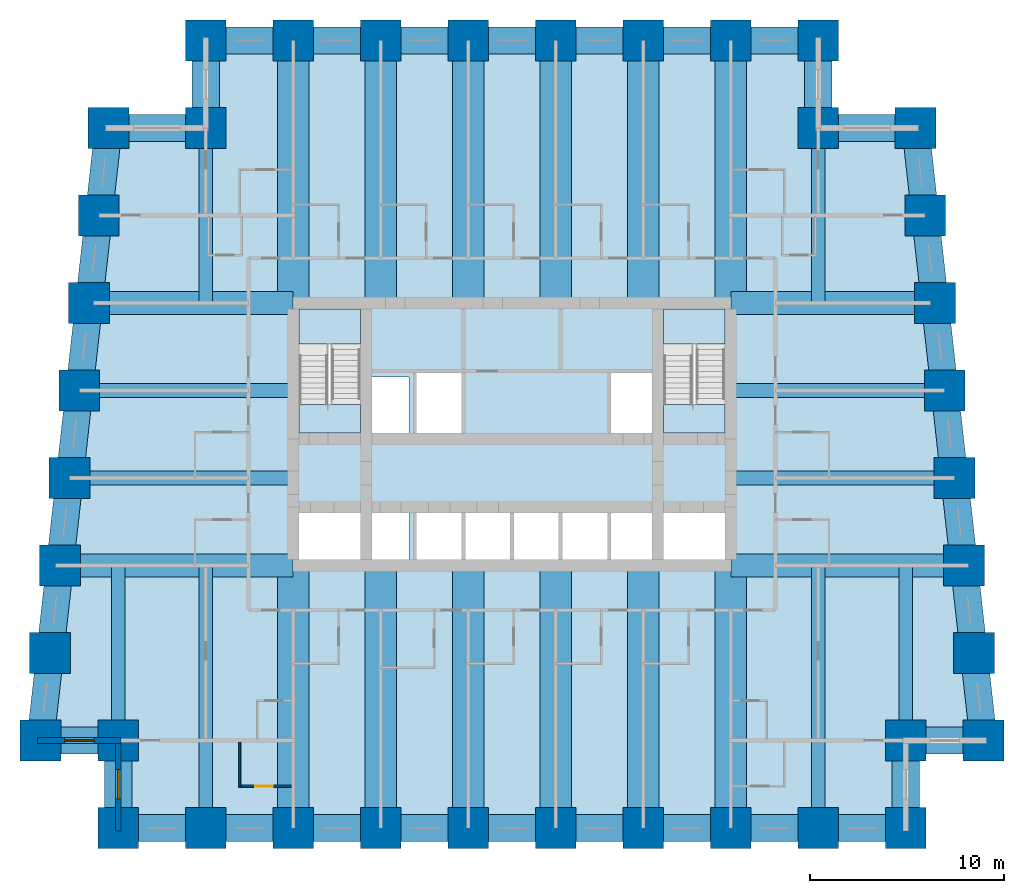
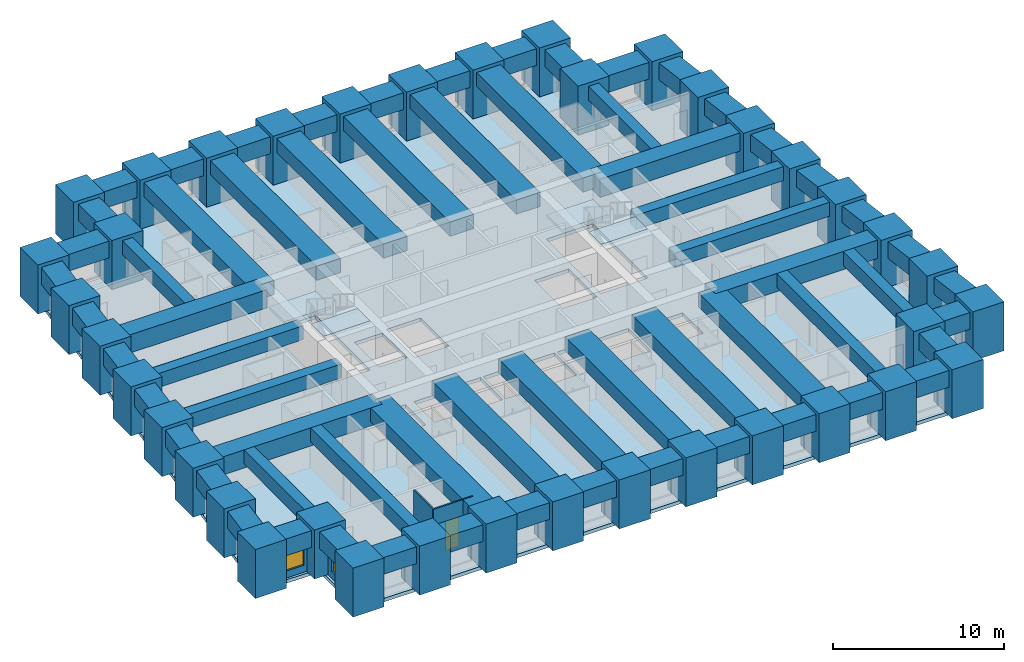
# One storey, part 1 of 8: 64 beams, 38 columns, 5 slabs, 4 walls, 2 windows, 1 door, 3 openings, 2 elements without a shape of their own.
"""IFC4 building model written with IfcOpenShell, lengths in metres."""

import ifcopenshell
import ifcopenshell.guid

model = None  # the IFC model being written
_history = None  # IfcOwnerHistory: only IFC2X3 demands one
_inside = {}  # id of a spatial element -> (the spatial element, [elements in it])
_under = {}  # id of a project, library or spatial element -> (it, [spatial elements below it])
_declared = {}  # id of a project -> (the project, [libraries it declares])
_typed = {}  # id of a type object -> (the type object, [elements of that type])
_made_of = {}  # id of a material, layer set ... -> (it, [elements and type objects made of it])


def new_model(schema):
    """Start an empty IFC model of exactly this schema.

    Asked for "IFC4X3", IfcOpenShell would pick the latest addendum, in which some entities
    have other attributes; the version numbers below select the first issue.
    IFC2X3 requires an IfcOwnerHistory on every rooted entity: one is made here for all.
    """
    global model, _history
    if schema == "IFC4X3":
        model = ifcopenshell.file(schema_version=(4, 3, 0, 0))
    else:
        model = ifcopenshell.file(schema=schema)
    _inside.clear()
    _under.clear()
    _declared.clear()
    _typed.clear()
    _made_of.clear()
    _history = None
    if model.schema == "IFC2X3":
        org = make("IfcOrganization", Name="unknown")
        user = make(
            "IfcPersonAndOrganization",
            ThePerson=make("IfcPerson", FamilyName="unknown"),
            TheOrganization=org,
        )
        app = make(
            "IfcApplication",
            ApplicationDeveloper=org,
            Version="unknown",
            ApplicationFullName="unknown",
            ApplicationIdentifier="unknown",
        )
        _history = make(
            "IfcOwnerHistory",
            OwningUser=user,
            OwningApplication=app,
            ChangeAction="ADDED",
            CreationDate=0,
        )
    return model


def make(cls, **values):
    """One entity of the class cls with the attributes given. An attribute that is None is left unset."""
    return model.create_entity(
        cls, **{name: value for name, value in values.items() if value is not None}
    )


def rooted(cls, **values):
    """An entity with a GlobalId (a new one), such as an element, a storey or a relation."""
    return make(cls, GlobalId=ifcopenshell.guid.new(), OwnerHistory=_history, **values)


def si_unit(unit_type, name, prefix=None):
    """IfcSIUnit, for example si_unit("LENGTHUNIT", "METRE", prefix="MILLI")."""
    return make("IfcSIUnit", UnitType=unit_type, Prefix=prefix, Name=name)


def assignment(units):
    """IfcUnitAssignment: the units of a project."""
    return None if units is None else make("IfcUnitAssignment", Units=units)


def point(xyz):
    """IfcCartesianPoint."""
    return None if xyz is None else make("IfcCartesianPoint", Coordinates=xyz)


def direction(xyz):
    """IfcDirection."""
    return None if xyz is None else make("IfcDirection", DirectionRatios=xyz)


def frame(location, z_axis=None, x_axis=None):
    """IfcAxis2Placement3D, a coordinate frame: its origin and axes. An axis left out is left unset."""
    return make(
        "IfcAxis2Placement3D",
        Location=point(location),
        Axis=direction(z_axis),
        RefDirection=direction(x_axis),
    )


def frame_2d(location, x_axis=None):
    """IfcAxis2Placement2D, a coordinate frame in the plane: its origin and x axis."""
    return make(
        "IfcAxis2Placement2D", Location=point(location), RefDirection=direction(x_axis)
    )


def origin():
    """The frame at (0, 0, 0) with its axes left unset."""
    return frame((0.0, 0.0, 0.0))


def origin_2d():
    """The frame at (0, 0) in the plane with its x axis left unset."""
    return frame_2d((0.0, 0.0))


def place(relative_to, where):
    """IfcLocalPlacement: puts the frame where relative to a parent placement (None: the world)."""
    return make(
        "IfcLocalPlacement", PlacementRelTo=relative_to, RelativePlacement=where
    )


def context(
    kind, dimensions, precision=None, world=None, true_north=None, identifier=None
):
    """IfcGeometricRepresentationContext, for example the 3D "Model" context."""
    return make(
        "IfcGeometricRepresentationContext",
        ContextIdentifier=identifier,
        ContextType=kind,
        CoordinateSpaceDimension=dimensions,
        Precision=precision,
        WorldCoordinateSystem=world,
        TrueNorth=true_north,
    )


def subcontext(parent, identifier, kind, view, scale=None):
    """IfcGeometricRepresentationSubContext, for example "Body" below "Model"."""
    return make(
        "IfcGeometricRepresentationSubContext",
        ContextIdentifier=identifier,
        ContextType=kind,
        ParentContext=parent,
        TargetScale=scale,
        TargetView=view,
    )


def project(units=None, contexts=None):
    """IfcProject with its units and contexts."""
    return rooted(
        "IfcProject",
        Name="project",
        RepresentationContexts=contexts,
        UnitsInContext=assignment(units),
    )


def spatial(cls, under=None, at=None, **own):
    """A site, building, storey or space (cls), placed at a placement, below another one or the project."""
    s = rooted(cls, ObjectPlacement=at, **own)
    if under is not None:
        _under.setdefault(under.id(), (under, []))[1].append(s)
    return s


def polyline(points):
    """IfcPolyline through the points."""
    return make("IfcPolyline", Points=[point(p) for p in points])


def profile(cls, at=None, kind="AREA", **sizes):
    """A parametric profile (cls). Its sizes go by their IFC names, for example OverallWidth=200.0."""
    return make(cls, ProfileType=kind, Position=at, **sizes)


def rectangle(**sizes):
    """IfcRectangleProfileDef."""
    return profile("IfcRectangleProfileDef", **sizes)


def outline(outer, holes=None, kind="AREA"):
    """IfcArbitraryClosedProfileDef: a profile drawn as a closed curve; with holes, ...WithVoids."""
    if holes is None:
        return make("IfcArbitraryClosedProfileDef", ProfileType=kind, OuterCurve=outer)
    return make(
        "IfcArbitraryProfileDefWithVoids",
        ProfileType=kind,
        OuterCurve=outer,
        InnerCurves=holes,
    )


def extrude(swept, where, along, depth):
    """IfcExtrudedAreaSolid: the profile swept, set in the frame where, extruded along a direction by depth."""
    return make(
        "IfcExtrudedAreaSolid",
        SweptArea=swept,
        Position=where,
        ExtrudedDirection=direction(along),
        Depth=depth,
    )


def shape(context_of_items, identifier, shape_type, items):
    """IfcShapeRepresentation: the items that make up one representation, for example the "Body"."""
    return make(
        "IfcShapeRepresentation",
        ContextOfItems=context_of_items,
        RepresentationIdentifier=identifier,
        RepresentationType=shape_type,
        Items=items,
    )


def material(Name=None, Category=None):
    """IfcMaterial."""
    return make("IfcMaterial", Name=Name, Category=Category)


def layer(
    of_material, thickness, ventilated=None, Name=None, Category=None, Priority=None
):
    """IfcMaterialLayer: one layer of a wall or slab, of a material (None: an air gap)."""
    return make(
        "IfcMaterialLayer",
        Material=of_material,
        LayerThickness=thickness,
        IsVentilated=ventilated,
        Name=Name,
        Category=Category,
        Priority=Priority,
    )


def layer_set(layers, Name=None):
    """IfcMaterialLayerSet."""
    return make("IfcMaterialLayerSet", MaterialLayers=layers, LayerSetName=Name)


def material_profile(
    of_material, cross_section, Name=None, Category=None, Priority=None
):
    """IfcMaterialProfile: a cross section and its material."""
    return make(
        "IfcMaterialProfile",
        Name=Name,
        Material=of_material,
        Profile=cross_section,
        Priority=Priority,
        Category=Category,
    )


def profile_set(profiles, Name=None, composite=None):
    """IfcMaterialProfileSet."""
    return make(
        "IfcMaterialProfileSet",
        Name=Name,
        MaterialProfiles=profiles,
        CompositeProfile=composite,
    )


def made_of(thing, what):
    """Note that an element or type object is made of a material, layer set ...; save() writes the relation."""
    if what is not None:
        _made_of.setdefault(what.id(), (what, []))[1].append(thing)
    return thing


def type_object(cls, material=None, **own):
    """A type object (cls), such as IfcWallType, which elements share."""
    return made_of(rooted(cls, **own), material)


def element(
    cls,
    number,
    at=None,
    inside=None,
    cuts=None,
    type_object=None,
    material=None,
    context=None,
    identifier="Body",
    shape_type=None,
    held_by="IfcProductDefinitionShape",
    body=None,
    shapes=None,
    **own,
):
    """One element of the class cls, such as IfcWall. Its Tag is "e" and its number.

    at: its placement. inside: the storey or other place that contains it. cuts: it is an
    opening in that element (IfcRelVoidsElement). A single representation is given by context,
    identifier, shape_type and body (its items); several are given by shapes. held_by: the class
    of the entity that holds the representations. save() writes the other relations.
    """
    e = rooted(cls, Tag="e%d" % number, ObjectPlacement=at, **own)
    if body is not None:
        shapes = [shape(context, identifier, shape_type, body)]
    if shapes is not None:
        e.Representation = make(held_by, Representations=shapes)
    if inside is not None:
        _inside.setdefault(inside.id(), (inside, []))[1].append(e)
    if cuts is not None:
        rooted(
            "IfcRelVoidsElement", RelatingBuildingElement=cuts, RelatedOpeningElement=e
        )
    if type_object is not None:
        _typed.setdefault(type_object.id(), (type_object, []))[1].append(e)
    return made_of(e, material)


def fill(opening, filler):
    """IfcRelFillsElement: the door or window that sits in an opening."""
    return rooted(
        "IfcRelFillsElement",
        RelatingOpeningElement=opening,
        RelatedBuildingElement=filler,
    )


def aggregate(whole, parts):
    """IfcRelAggregates: a whole, such as a stair, and the parts it consists of."""
    return rooted("IfcRelAggregates", RelatingObject=whole, RelatedObjects=parts)


def save(model, path):
    """Write the relations noted so far, then the file.

    IfcRelAggregates (storeys below a building ...), IfcRelContainedInSpatialStructure (elements
    in a storey), IfcRelDefinesByType, IfcRelAssociatesMaterial and IfcRelDeclares: one each for
    every whole, place, type object, material and project.
    """
    for whole, parts in _under.values():
        aggregate(whole, parts)
    for where, things in _inside.values():
        rooted(
            "IfcRelContainedInSpatialStructure",
            RelatedElements=things,
            RelatingStructure=where,
        )
    for kind, things in _typed.values():
        rooted("IfcRelDefinesByType", RelatedObjects=things, RelatingType=kind)
    for what, things in _made_of.values():
        rooted("IfcRelAssociatesMaterial", RelatedObjects=things, RelatingMaterial=what)
    for by, libraries in _declared.values():
        rooted("IfcRelDeclares", RelatingContext=by, RelatedDefinitions=libraries)
    model.write(path)


model = new_model("IFC4")

# Units and contexts
model_context = context("Model", 3, precision=1e-05, world=origin(), true_north=direction((0.0, 1.0)))
body_context = subcontext(model_context, "Body", "Model", "MODEL_VIEW")
ifc_project = project(units=[si_unit("LENGTHUNIT", "METRE"), si_unit("AREAUNIT", "SQUARE_METRE"), si_unit("VOLUMEUNIT", "CUBIC_METRE"), si_unit("PLANEANGLEUNIT", "RADIAN"), si_unit("MASSUNIT", "GRAM", prefix="KILO")], contexts=[model_context])

# Site, building, storey
site_placement = place(None, origin())
site = spatial("IfcSite", under=ifc_project, at=site_placement, CompositionType="ELEMENT")
building_placement = place(site_placement, origin())
building = spatial("IfcBuilding", under=site, at=building_placement, Name="Kilele Tower Hotel", CompositionType="ELEMENT")
storey_placement = place(building_placement, frame((0.0, 0.0, 36.699951171875)))
storey = spatial("IfcBuildingStorey", under=building, at=storey_placement, Name="L07", CompositionType="ELEMENT", Elevation=36.699951171875)

# Columns
ifc_material_1 = material(Name="Concrete C80/95", Category="concrete")
ifc_material_profile_1 = material_profile(ifc_material_1, rectangle(XDim=2.10009765625, YDim=2.10009765625, at=origin_2d()))
ifc_profile_set_1 = profile_set([ifc_material_profile_1], Name="Concrete C80/95")
column_type = type_object("IfcColumnType", Name="Tube column RC 2100x2100 C80/95", PredefinedType="COLUMN", material=ifc_profile_set_1)
for number, where, z_axis, x_axis, name in (
    (1, (0.5, 4.5, 0.0), (0.0, 0.0, 1.0), (1.0, 0.0, 0.0), "Column TC9 L07"),
    (2, (4.5, 4.5, 0.0), (0.0, 0.0, 1.0), (1.0, 0.0, 0.0), "Column TC9 L07"),
    (3, (4.5, 0.0, 0.0), (0.0, 0.0, 1.0), (1.0, 0.0, 0.0), "Column TC9 L07"),
    (4, (9.0, 0.0, 0.0), (0.0, 0.0, 1.0), (1.0, 0.0, 0.0), "Column TC9 L07"),
    (5, (13.5, 0.0, 0.0), (0.0, 0.0, 1.0), (1.0, 0.0, 0.0), "Column TC9 L07"),
    (6, (18.0, 0.0, 0.0), (0.0, 0.0, 1.0), (1.0, 0.0, 0.0), "Column TC9 L07"),
    (7, (22.5, 0.0, 0.0), (0.0, 0.0, 1.0), (1.0, 0.0, 0.0), "Column TC9 L07"),
    (8, (27.0, 0.0, 0.0), (0.0, 0.0, 1.0), (1.0, 0.0, 0.0), "Column TC9 L07"),
    (9, (31.5, 0.0, 0.0), (0.0, 0.0, 1.0), (1.0, 0.0, 0.0), "Column TC9 L07"),
    (10, (36.0, 0.0, 0.0), (0.0, 0.0, 1.0), (1.0, 0.0, 0.0), "Column TC9 L07"),
    (11, (40.5, 0.0, 0.0), (0.0, 0.0, 1.0), (1.0, 0.0, 0.0), "Column TC9 L07"),
    (12, (45.0, 0.0, 0.0), (0.0, 0.0, 1.0), (1.0, 0.0, 0.0), "Column TC9 L07"),
    (13, (45.0, 4.5, 0.0), (0.0, 0.0, 1.0), (1.0, 0.0, 0.0), "Column TC9 L07"),
    (14, (49.0, 4.5, 0.0), (0.0, 0.0, 1.0), (1.0, 0.0, 0.0), "Column TC9 L07"),
    (15, (48.5, 9.0, 0.0), (0.0, 0.0, 1.0), (1.0, 0.0, 0.0), "Column TC9 L07"),
    (16, (48.0, 13.5, 0.0), (0.0, 0.0, 1.0), (1.0, 0.0, 0.0), "Column TC9 L07"),
    (17, (47.5, 18.0, 0.0), (0.0, 0.0, 1.0), (1.0, 0.0, 0.0), "Column TC9 L07"),
    (18, (47.0, 22.5, 0.0), (0.0, 0.0, 1.0), (1.0, 0.0, 0.0), "Column TC9 L07"),
    (19, (46.5, 27.0, 0.0), (0.0, 0.0, 1.0), (1.0, 0.0, 0.0), "Column TC9 L07"),
    (20, (46.0, 31.5, 0.0), (0.0, 0.0, 1.0), (1.0, 0.0, 0.0), "Column TC9 L07"),
    (21, (45.5, 36.0, 0.0), (0.0, 0.0, 1.0), (1.0, 0.0, 0.0), "Column TC9 L07"),
    (22, (40.5, 36.0, 0.0), (0.0, 0.0, 1.0), (1.0, 0.0, 0.0), "Column TC9 L07"),
    (23, (40.5, 40.5, 0.0), (0.0, 0.0, 1.0), (1.0, 0.0, 0.0), "Column TC9 L07"),
    (24, (36.0, 40.5, 0.0), (0.0, 0.0, 1.0), (1.0, 0.0, 0.0), "Column TC9 L07"),
    (25, (31.5, 40.5, 0.0), (0.0, 0.0, 1.0), (1.0, 0.0, 0.0), "Column TC9 L07"),
    (26, (27.0, 40.5, 0.0), (0.0, 0.0, 1.0), (1.0, 0.0, 0.0), "Column TC9 L07"),
    (27, (22.5, 40.5, 0.0), (0.0, 0.0, 1.0), (1.0, 0.0, 0.0), "Column TC9 L07"),
    (28, (18.0, 40.5, 0.0), (0.0, 0.0, 1.0), (1.0, 0.0, 0.0), "Column TC9 L07"),
    (29, (13.5, 40.5, 0.0), (0.0, 0.0, 1.0), (1.0, 0.0, 0.0), "Column TC9 L07"),
    (30, (9.0, 40.5, 0.0), (0.0, 0.0, 1.0), (1.0, 0.0, 0.0), "Column TC9 L07"),
    (31, (9.0, 36.0, 0.0), (0.0, 0.0, 1.0), (1.0, 0.0, 0.0), "Column TC9 L07"),
    (32, (4.0, 36.0, 0.0), (0.0, 0.0, 1.0), (1.0, 0.0, 0.0), "Column TC9 L07"),
    (33, (3.5, 31.5, 0.0), (0.0, 0.0, 1.0), (1.0, 0.0, 0.0), "Column TC9 L07"),
    (34, (3.0, 27.0, 0.0), (0.0, 0.0, 1.0), (1.0, 0.0, 0.0), "Column TC9 L07"),
    (35, (2.5, 22.5, 0.0), (0.0, 0.0, 1.0), (1.0, 0.0, 0.0), "Column TC9 L07"),
    (36, (2.0, 18.0, 0.0), (0.0, 0.0, 1.0), (1.0, 0.0, 0.0), "Column TC9 L07"),
    (37, (1.5, 13.5, 0.0), (0.0, 0.0, 1.0), (1.0, 0.0, 0.0), "Column TC9 L07"),
    (38, (1.0, 9.0, 0.0), (0.0, 0.0, 1.0), (1.0, 0.0, 0.0), "Column TC9 L07"),
):
    element("IfcColumn", number, at=place(storey_placement, frame(where, z_axis=z_axis, x_axis=x_axis)), inside=storey, type_object=column_type, Name=name, PredefinedType="COLUMN", context=body_context, shape_type="SweptSolid", body=[
        extrude(rectangle(XDim=2.10009765625, YDim=2.10009765625, at=origin_2d()), origin(), (0.0, 0.0, 1.0), 3.5),
    ])

# Beams
ifc_material_2 = material(Name="Concrete C60/75", Category="concrete")
ifc_material_profile_2 = material_profile(ifc_material_2, rectangle(XDim=1.60009765625, YDim=1.0, at=origin_2d()))
ifc_profile_set_2 = profile_set([ifc_material_profile_2], Name="Concrete C60/75")
beam_type_1 = type_object("IfcBeamType", Name="Beam RC 1600x1000 C60/75", PredefinedType="BEAM", material=ifc_profile_set_2)
for number, where, z_axis, x_axis, name in (
    (39, (13.5, 0.0, 2.75), (0.0, 1.0, 0.0), (-1.0, 0.0, 0.0), "Beam BC1 level L08"),
    (40, (18.0, 0.0, 2.75), (0.0, 1.0, 0.0), (-1.0, 0.0, 0.0), "Beam BC1 level L08"),
    (41, (22.5, 0.0, 2.75), (0.0, 1.0, 0.0), (-1.0, 0.0, 0.0), "Beam BC1 level L08"),
    (42, (27.0, 0.0, 2.75), (0.0, 1.0, 0.0), (-1.0, 0.0, 0.0), "Beam BC1 level L08"),
    (43, (31.5, 0.0, 2.75), (0.0, 1.0, 0.0), (-1.0, 0.0, 0.0), "Beam BC1 level L08"),
    (44, (36.0, 0.0, 2.75), (0.0, 1.0, 0.0), (-1.0, 0.0, 0.0), "Beam BC1 level L08"),
    (45, (36.0, 40.5, 2.75), (0.0, -1.0, 0.0), (1.0, 0.0, 0.0), "Beam BC1 level L08"),
    (46, (31.5, 40.5, 2.75), (0.0, -1.0, 0.0), (1.0, 0.0, 0.0), "Beam BC1 level L08"),
    (47, (27.0, 40.5, 2.75), (0.0, -1.0, 0.0), (1.0, 0.0, 0.0), "Beam BC1 level L08"),
    (48, (22.5, 40.5, 2.75), (0.0, -1.0, 0.0), (1.0, 0.0, 0.0), "Beam BC1 level L08"),
    (49, (18.0, 40.5, 2.75), (0.0, -1.0, 0.0), (1.0, 0.0, 0.0), "Beam BC1 level L08"),
    (50, (13.5, 40.5, 2.75), (0.0, -1.0, 0.0), (1.0, 0.0, 0.0), "Beam BC1 level L08"),
):
    element("IfcBeam", number, at=place(storey_placement, frame(where, z_axis=z_axis, x_axis=x_axis)), inside=storey, type_object=beam_type_1, Name=name, PredefinedType="BEAM", context=body_context, shape_type="SweptSolid", body=[
        extrude(rectangle(XDim=1.60009765625, YDim=1.0, at=origin_2d()), origin(), (0.0, 0.0, 1.0), 13.5),
    ])
ifc_material_3 = material(Name="Concrete C60/75", Category="concrete")
ifc_material_profile_3 = material_profile(ifc_material_3, rectangle(XDim=0.699951171875, YDim=1.0, at=origin_2d()))
ifc_profile_set_3 = profile_set([ifc_material_profile_3], Name="Concrete C60/75")
beam_type_2 = type_object("IfcBeamType", Name="Beam RC 700x1000 C60/75", PredefinedType="BEAM", material=ifc_profile_set_3)
for number, where, z_axis, x_axis, name in (
    (51, (9.0, 0.0, 2.75), (0.0, 1.0, 0.0), (-1.0, 0.0, 0.0), "Beam B4 level L08"),
    (52, (40.5, 0.0, 2.75), (0.0, 1.0, 0.0), (-1.0, 0.0, 0.0), "Beam B4 level L08"),
):
    element("IfcBeam", number, at=place(storey_placement, frame(where, z_axis=z_axis, x_axis=x_axis)), inside=storey, type_object=beam_type_2, Name=name, PredefinedType="BEAM", context=body_context, shape_type="SweptSolid", body=[
        extrude(rectangle(XDim=0.699951171875, YDim=1.0, at=origin_2d()), origin(), (0.0, 0.0, 1.0), 13.5),
    ])
ifc_material_4 = material(Name="Concrete C60/75", Category="concrete")
ifc_material_profile_4 = material_profile(ifc_material_4, rectangle(XDim=0.699951171875, YDim=1.0, at=origin_2d()))
ifc_profile_set_4 = profile_set([ifc_material_profile_4], Name="Concrete C60/75")
beam_type_3 = type_object("IfcBeamType", Name="Beam RC 700x1000 C60/75 mid span", PredefinedType="BEAM", material=ifc_profile_set_4)
for number, where, z_axis, x_axis, name in (
    (53, (4.5, 4.5, 2.75), (0.0, 1.0, 0.0), (-1.0, 0.0, 0.0), "Beam B5 level L08"),
    (54, (45.0, 4.5, 2.75), (0.0, 1.0, 0.0), (-1.0, 0.0, 0.0), "Beam B5 level L08"),
):
    element("IfcBeam", number, at=place(storey_placement, frame(where, z_axis=z_axis, x_axis=x_axis)), inside=storey, type_object=beam_type_3, Name=name, PredefinedType="BEAM", context=body_context, shape_type="SweptSolid", body=[
        extrude(rectangle(XDim=0.699951171875, YDim=1.0, at=origin_2d()), origin(), (0.0, 0.0, 1.0), 9.0),
    ])
beam_1_placement = place(storey_placement, frame((47.5, 18.0, 2.75), z_axis=(-1.0, 0.0, 0.0), x_axis=(0.0, -1.0, 0.0)))
element("IfcBeam", 55, at=beam_1_placement, inside=storey, type_object=beam_type_3, Name="Beam B5 level L08", PredefinedType="BEAM", context=body_context, shape_type="SweptSolid", body=[
    extrude(rectangle(XDim=0.699951171875, YDim=1.0, at=origin_2d()), origin(), (0.0, 0.0, 1.0), 11.5),
])
beam_2_placement = place(storey_placement, frame((47.0, 22.5, 2.75), z_axis=(-1.0, 0.0, 0.0), x_axis=(0.0, -1.0, 0.0)))
element("IfcBeam", 56, at=beam_2_placement, inside=storey, type_object=beam_type_3, Name="Beam B5 level L08", PredefinedType="BEAM", context=body_context, shape_type="SweptSolid", body=[
    extrude(rectangle(XDim=0.699951171875, YDim=1.0, at=origin_2d()), origin(), (0.0, 0.0, 1.0), 11.0),
])
for number, where, z_axis, x_axis, name in (
    (57, (40.5, 36.0, 2.75), (0.0, -1.0, 0.0), (1.0, 0.0, 0.0), "Beam B5 level L08"),
    (58, (9.0, 36.0, 2.75), (0.0, -1.0, 0.0), (1.0, 0.0, 0.0), "Beam B5 level L08"),
):
    element("IfcBeam", number, at=place(storey_placement, frame(where, z_axis=z_axis, x_axis=x_axis)), inside=storey, type_object=beam_type_3, Name=name, PredefinedType="BEAM", context=body_context, shape_type="SweptSolid", body=[
        extrude(rectangle(XDim=0.699951171875, YDim=1.0, at=origin_2d()), origin(), (0.0, 0.0, 1.0), 9.0),
    ])
beam_3_placement = place(storey_placement, frame((2.5, 22.5, 2.75), z_axis=(1.0, 0.0, 0.0), x_axis=(0.0, 1.0, 0.0)))
element("IfcBeam", 59, at=beam_3_placement, inside=storey, type_object=beam_type_3, Name="Beam B5 level L08", PredefinedType="BEAM", context=body_context, shape_type="SweptSolid", body=[
    extrude(rectangle(XDim=0.699951171875, YDim=1.0, at=origin_2d()), origin(), (0.0, 0.0, 1.0), 11.0),
])
beam_4_placement = place(storey_placement, frame((2.0, 18.0, 2.75), z_axis=(1.0, 0.0, 0.0), x_axis=(0.0, 1.0, 0.0)))
element("IfcBeam", 60, at=beam_4_placement, inside=storey, type_object=beam_type_3, Name="Beam B5 level L08", PredefinedType="BEAM", context=body_context, shape_type="SweptSolid", body=[
    extrude(rectangle(XDim=0.699951171875, YDim=1.0, at=origin_2d()), origin(), (0.0, 0.0, 1.0), 11.5),
])
ifc_material_5 = material(Name="Concrete C60/75", Category="concrete")
ifc_material_profile_5 = material_profile(ifc_material_5, rectangle(XDim=1.199951171875, YDim=1.300048828125, at=origin_2d()))
ifc_profile_set_5 = profile_set([ifc_material_profile_5], Name="Concrete C60/75")
beam_type_4 = type_object("IfcBeamType", Name="Girder RC 1200x1300 C60/75", PredefinedType="BEAM", material=ifc_profile_set_5)
for number, where, z_axis, x_axis, name in (
    (61, (48.0, 13.5, 2.60009765625), (-1.0, 0.0, 0.0), (0.0, -1.0, 0.0), "Girder G1 level L08"),
    (62, (1.5, 13.5, 2.60009765625), (1.0, 0.0, 0.0), (0.0, 1.0, 0.0), "Girder G1 level L08"),
):
    element("IfcBeam", number, at=place(storey_placement, frame(where, z_axis=z_axis, x_axis=x_axis)), inside=storey, type_object=beam_type_4, Name=name, PredefinedType="BEAM", context=body_context, shape_type="SweptSolid", body=[
        extrude(rectangle(XDim=1.199951171875, YDim=1.300048828125, at=origin_2d()), origin(), (0.0, 0.0, 1.0), 12.0),
    ])
ifc_material_6 = material(Name="Concrete C60/75", Category="concrete")
ifc_material_profile_6 = material_profile(ifc_material_6, rectangle(XDim=1.199951171875, YDim=1.300048828125, at=origin_2d()))
ifc_profile_set_6 = profile_set([ifc_material_profile_6], Name="Concrete C60/75")
beam_type_5 = type_object("IfcBeamType", Name="Girder RC 1200x1300 C60/75 mid span", PredefinedType="BEAM", material=ifc_profile_set_6)
for number, where, z_axis, x_axis, name in (
    (63, (46.5, 27.0, 2.60009765625), (-1.0, 0.0, 0.0), (0.0, -1.0, 0.0), "Girder G3 level L08"),
    (64, (3.0, 27.0, 2.60009765625), (1.0, 0.0, 0.0), (0.0, 1.0, 0.0), "Girder G3 level L08"),
):
    element("IfcBeam", number, at=place(storey_placement, frame(where, z_axis=z_axis, x_axis=x_axis)), inside=storey, type_object=beam_type_5, Name=name, PredefinedType="BEAM", context=body_context, shape_type="SweptSolid", body=[
        extrude(rectangle(XDim=1.199951171875, YDim=1.300048828125, at=origin_2d()), origin(), (0.0, 0.0, 1.0), 10.5),
    ])
ifc_material_7 = material(Name="Concrete C60/75", Category="concrete")
ifc_material_profile_7 = material_profile(ifc_material_7, rectangle(XDim=1.39990234375, YDim=1.199951171875, at=origin_2d()))
ifc_profile_set_7 = profile_set([ifc_material_profile_7], Name="Concrete C60/75")
beam_type_6 = type_object("IfcBeamType", Name="Spandrel RC 1400x1200 C60/75", PredefinedType="SPANDREL", material=ifc_profile_set_7)
beam_5_placement = place(storey_placement, frame((0.5, 4.5, 2.650146484375), z_axis=(1.0, 0.0, 0.0), x_axis=(0.0, 1.0, 0.0)))
element("IfcBeam", 65, at=beam_5_placement, inside=storey, type_object=beam_type_6, Name="Spandrel SP10 level L08", PredefinedType="SPANDREL", context=body_context, shape_type="SweptSolid", body=[
    extrude(rectangle(XDim=1.39990234375, YDim=1.199951171875, at=origin_2d()), origin(), (0.0, 0.0, 1.0), 4.0),
])
for number, where, z_axis, x_axis, name in (
    (66, (4.5, 4.5, 2.650146484375), (0.0, -1.0, 0.0), (1.0, 0.0, 0.0), "Spandrel SP10 level L08"),
    (67, (4.5, 0.0, 2.650146484375), (1.0, 0.0, 0.0), (0.0, 1.0, 0.0), "Spandrel SP10 level L08"),
    (68, (9.0, 0.0, 2.650146484375), (1.0, 0.0, 0.0), (0.0, 1.0, 0.0), "Spandrel SP10 level L08"),
    (69, (13.5, 0.0, 2.650146484375), (1.0, 0.0, 0.0), (0.0, 1.0, 0.0), "Spandrel SP10 level L08"),
    (70, (18.0, 0.0, 2.650146484375), (1.0, 0.0, 0.0), (0.0, 1.0, 0.0), "Spandrel SP10 level L08"),
    (71, (22.5, 0.0, 2.650146484375), (1.0, 0.0, 0.0), (0.0, 1.0, 0.0), "Spandrel SP10 level L08"),
    (72, (27.0, 0.0, 2.650146484375), (1.0, 0.0, 0.0), (0.0, 1.0, 0.0), "Spandrel SP10 level L08"),
    (73, (31.5, 0.0, 2.650146484375), (1.0, 0.0, 0.0), (0.0, 1.0, 0.0), "Spandrel SP10 level L08"),
    (74, (36.0, 0.0, 2.650146484375), (1.0, 0.0, 0.0), (0.0, 1.0, 0.0), "Spandrel SP10 level L08"),
    (75, (40.5, 0.0, 2.650146484375), (1.0, 0.0, 0.0), (0.0, 1.0, 0.0), "Spandrel SP10 level L08"),
    (76, (45.0, 0.0, 2.650146484375), (0.0, 1.0, 0.0), (-1.0, 0.0, 0.0), "Spandrel SP10 level L08"),
):
    element("IfcBeam", number, at=place(storey_placement, frame(where, z_axis=z_axis, x_axis=x_axis)), inside=storey, type_object=beam_type_6, Name=name, PredefinedType="SPANDREL", context=body_context, shape_type="SweptSolid", body=[
        extrude(rectangle(XDim=1.39990234375, YDim=1.199951171875, at=origin_2d()), origin(), (0.0, 0.0, 1.0), 4.5),
    ])
beam_6_placement = place(storey_placement, frame((45.0, 4.5, 2.650146484375), z_axis=(1.0, 0.0, 0.0), x_axis=(0.0, 1.0, 0.0)))
element("IfcBeam", 77, at=beam_6_placement, inside=storey, type_object=beam_type_6, Name="Spandrel SP10 level L08", PredefinedType="SPANDREL", context=body_context, shape_type="SweptSolid", body=[
    extrude(rectangle(XDim=1.39990234375, YDim=1.199951171875, at=origin_2d()), origin(), (0.0, 0.0, 1.0), 4.0),
])
for number, where, z_axis, x_axis, name in (
    (78, (49.0, 4.5, 2.650146484375), (-0.110431526075, 0.993883734674, 0.0), (-0.993883734674, -0.110431526075, 0.0), "Spandrel SP10 level L08"),
    (79, (48.5, 9.0, 2.650146484375), (-0.110431526075, 0.993883734674, 0.0), (-0.993883734674, -0.110431526075, 0.0), "Spandrel SP10 level L08"),
    (80, (48.0, 13.5, 2.650146484375), (-0.110431526075, 0.993883734674, 0.0), (-0.993883734674, -0.110431526075, 0.0), "Spandrel SP10 level L08"),
    (81, (47.5, 18.0, 2.650146484375), (-0.110431526075, 0.993883734674, 0.0), (-0.993883734674, -0.110431526075, 0.0), "Spandrel SP10 level L08"),
    (82, (47.0, 22.5, 2.650146484375), (-0.110431526075, 0.993883734674, 0.0), (-0.993883734674, -0.110431526075, 0.0), "Spandrel SP10 level L08"),
    (83, (46.5, 27.0, 2.650146484375), (-0.110431526075, 0.993883734674, 0.0), (-0.993883734674, -0.110431526075, 0.0), "Spandrel SP10 level L08"),
    (84, (46.0, 31.5, 2.650146484375), (-0.110431526075, 0.993883734674, 0.0), (-0.993883734674, -0.110431526075, 0.0), "Spandrel SP10 level L08"),
):
    element("IfcBeam", number, at=place(storey_placement, frame(where, z_axis=z_axis, x_axis=x_axis)), inside=storey, type_object=beam_type_6, Name=name, PredefinedType="SPANDREL", context=body_context, shape_type="SweptSolid", body=[
        extrude(rectangle(XDim=1.39990234375, YDim=1.199951171875, at=origin_2d()), origin(), (0.0, 0.0, 1.0), 4.527587890625),
    ])
beam_7_placement = place(storey_placement, frame((45.5, 36.0, 2.650146484375), z_axis=(-1.0, 0.0, 0.0), x_axis=(0.0, -1.0, 0.0)))
element("IfcBeam", 85, at=beam_7_placement, inside=storey, type_object=beam_type_6, Name="Spandrel SP10 level L08", PredefinedType="SPANDREL", context=body_context, shape_type="SweptSolid", body=[
    extrude(rectangle(XDim=1.39990234375, YDim=1.199951171875, at=origin_2d()), origin(), (0.0, 0.0, 1.0), 5.0),
])
for number, where, z_axis, x_axis, name in (
    (86, (40.5, 36.0, 2.650146484375), (0.0, 1.0, 0.0), (-1.0, 0.0, 0.0), "Spandrel SP10 level L08"),
    (87, (40.5, 40.5, 2.650146484375), (-1.0, 0.0, 0.0), (0.0, -1.0, 0.0), "Spandrel SP10 level L08"),
    (88, (36.0, 40.5, 2.650146484375), (-1.0, 0.0, 0.0), (0.0, -1.0, 0.0), "Spandrel SP10 level L08"),
    (89, (31.5, 40.5, 2.650146484375), (-1.0, 0.0, 0.0), (0.0, -1.0, 0.0), "Spandrel SP10 level L08"),
    (90, (27.0, 40.5, 2.650146484375), (-1.0, 0.0, 0.0), (0.0, -1.0, 0.0), "Spandrel SP10 level L08"),
    (91, (22.5, 40.5, 2.650146484375), (-1.0, 0.0, 0.0), (0.0, -1.0, 0.0), "Spandrel SP10 level L08"),
    (92, (18.0, 40.5, 2.650146484375), (-1.0, 0.0, 0.0), (0.0, -1.0, 0.0), "Spandrel SP10 level L08"),
    (93, (13.5, 40.5, 2.650146484375), (-1.0, 0.0, 0.0), (0.0, -1.0, 0.0), "Spandrel SP10 level L08"),
    (94, (9.0, 40.5, 2.650146484375), (0.0, -1.0, 0.0), (1.0, 0.0, 0.0), "Spandrel SP10 level L08"),
):
    element("IfcBeam", number, at=place(storey_placement, frame(where, z_axis=z_axis, x_axis=x_axis)), inside=storey, type_object=beam_type_6, Name=name, PredefinedType="SPANDREL", context=body_context, shape_type="SweptSolid", body=[
        extrude(rectangle(XDim=1.39990234375, YDim=1.199951171875, at=origin_2d()), origin(), (0.0, 0.0, 1.0), 4.5),
    ])
beam_8_placement = place(storey_placement, frame((9.0, 36.0, 2.650146484375), z_axis=(-1.0, 0.0, 0.0), x_axis=(0.0, -1.0, 0.0)))
element("IfcBeam", 95, at=beam_8_placement, inside=storey, type_object=beam_type_6, Name="Spandrel SP10 level L08", PredefinedType="SPANDREL", context=body_context, shape_type="SweptSolid", body=[
    extrude(rectangle(XDim=1.39990234375, YDim=1.199951171875, at=origin_2d()), origin(), (0.0, 0.0, 1.0), 5.0),
])
for number, where, z_axis, x_axis, name in (
    (96, (4.0, 36.0, 2.650146484375), (-0.110431526075, -0.993883734674, 0.0), (0.993883734674, -0.110431526075, 0.0), "Spandrel SP10 level L08"),
    (97, (3.5, 31.5, 2.650146484375), (-0.110431526075, -0.993883734674, 0.0), (0.993883734674, -0.110431526075, 0.0), "Spandrel SP10 level L08"),
    (98, (3.0, 27.0, 2.650146484375), (-0.110431526075, -0.993883734674, 0.0), (0.993883734674, -0.110431526075, 0.0), "Spandrel SP10 level L08"),
    (99, (2.5, 22.5, 2.650146484375), (-0.110431526075, -0.993883734674, 0.0), (0.993883734674, -0.110431526075, 0.0), "Spandrel SP10 level L08"),
    (100, (2.0, 18.0, 2.650146484375), (-0.110431526075, -0.993883734674, 0.0), (0.993883734674, -0.110431526075, 0.0), "Spandrel SP10 level L08"),
    (101, (1.5, 13.5, 2.650146484375), (-0.110431526075, -0.993883734674, 0.0), (0.993883734674, -0.110431526075, 0.0), "Spandrel SP10 level L08"),
    (102, (1.0, 9.0, 2.650146484375), (-0.110431526075, -0.993883734674, 0.0), (0.993883734674, -0.110431526075, 0.0), "Spandrel SP10 level L08"),
):
    element("IfcBeam", number, at=place(storey_placement, frame(where, z_axis=z_axis, x_axis=x_axis)), inside=storey, type_object=beam_type_6, Name=name, PredefinedType="SPANDREL", context=body_context, shape_type="SweptSolid", body=[
        extrude(rectangle(XDim=1.39990234375, YDim=1.199951171875, at=origin_2d()), origin(), (0.0, 0.0, 1.0), 4.527587890625),
    ])

# Slab
ifc_material_8 = material(Name="Concrete C60/75", Category="concrete")
ifc_layer_1 = layer(ifc_material_8, 0.25)
ifc_layer_set_1 = layer_set([ifc_layer_1], Name="Concrete C60/75")
slab_type_1 = type_object("IfcSlabType", Name="Floor slab 250", PredefinedType="FLOOR", material=ifc_layer_set_1)
slab_1_placement = place(storey_placement, frame((0.0, 0.0, -0.25)))
element("IfcSlab", 103, at=slab_1_placement, inside=storey, type_object=slab_type_1, Name="Floor slab L07", PredefinedType="FLOOR", context=body_context, shape_type="SweptSolid", body=[
    extrude(outline(polyline([(8.699951171875, 36.300048828125), (8.699951171875, 40.800048828125), (40.800048828125, 40.800048828125), (40.800048828125, 36.300048828125), (45.7685546875, 36.300048828125), (49.335205078125, 4.199951171875), (45.300048828125, 4.199951171875), (45.300048828125, -0.300048828125), (4.199951171875, -0.300048828125), (4.199951171875, 4.199951171875), (0.164794921875, 4.199951171875), (3.7314453125, 36.300048828125), (8.699951171875, 36.300048828125)]), holes=[polyline([(16.949951171875, 16.199951171875), (13.800048828125, 16.199951171875), (13.800048828125, 13.800048828125), (16.949951171875, 13.800048828125), (16.949951171875, 16.199951171875)]), polyline([(19.449951171875, 13.800048828125), (19.449951171875, 16.199951171875), (17.550048828125, 16.199951171875), (17.550048828125, 13.800048828125), (19.449951171875, 13.800048828125)]), polyline([(22.14990234375, 13.800048828125), (22.14990234375, 16.39990234375), (19.85009765625, 16.39990234375), (19.85009765625, 13.800048828125), (22.14990234375, 13.800048828125)]), polyline([(24.64990234375, 16.39990234375), (22.35009765625, 16.39990234375), (22.35009765625, 13.800048828125), (24.64990234375, 13.800048828125), (24.64990234375, 16.39990234375)]), polyline([(19.449951171875, 20.300048828125), (19.449951171875, 23.199951171875), (17.550048828125, 23.199951171875), (17.550048828125, 20.300048828125), (19.449951171875, 20.300048828125)]), polyline([(22.14990234375, 20.10009765625), (22.14990234375, 23.39990234375), (19.85009765625, 23.39990234375), (19.85009765625, 20.10009765625), (22.14990234375, 20.10009765625)]), polyline([(16.949951171875, 26.699951171875), (13.800048828125, 26.699951171875), (13.800048828125, 20.300048828125), (16.949951171875, 20.300048828125), (16.949951171875, 26.699951171875)]), polyline([(35.699951171875, 13.800048828125), (35.699951171875, 16.199951171875), (32.550048828125, 16.199951171875), (32.550048828125, 13.800048828125), (35.699951171875, 13.800048828125)]), polyline([(27.14990234375, 13.800048828125), (27.14990234375, 16.39990234375), (24.85009765625, 16.39990234375), (24.85009765625, 13.800048828125), (27.14990234375, 13.800048828125)]), polyline([(29.64990234375, 13.800048828125), (29.64990234375, 16.39990234375), (27.35009765625, 16.39990234375), (27.35009765625, 13.800048828125), (29.64990234375, 13.800048828125)]), polyline([(32.14990234375, 13.800048828125), (32.14990234375, 16.39990234375), (29.85009765625, 16.39990234375), (29.85009765625, 13.800048828125), (32.14990234375, 13.800048828125)]), polyline([(32.14990234375, 20.10009765625), (32.14990234375, 23.39990234375), (29.85009765625, 23.39990234375), (29.85009765625, 20.10009765625), (32.14990234375, 20.10009765625)]), polyline([(35.699951171875, 20.300048828125), (35.699951171875, 26.699951171875), (32.550048828125, 26.699951171875), (32.550048828125, 20.300048828125), (35.699951171875, 20.300048828125)])]), origin(), (0.0, 0.0, 1.0), 0.25),
])

# Stair, slabs
ifc_material_9 = material(Name="Precast concrete C40/50", Category="concrete")
stair_type = type_object("IfcStairType", Name="Stair 1475 x 3500", PredefinedType="HALF_TURN_STAIR", material=ifc_material_9)
stair_1_placement = place(storey_placement, origin())
stair_1 = element("IfcStair", 104, at=stair_1_placement, inside=storey, type_object=stair_type, Name="Stair 1 L07", PredefinedType="HALF_TURN_STAIR")
ifc_material_10 = material(Name="Precast concrete C40/50", Category="concrete")
ifc_layer_2 = layer(ifc_material_10, 0.199951171875)
ifc_layer_set_2 = layer_set([ifc_layer_2], Name="Precast concrete C40/50")
slab_type_2 = type_object("IfcSlabType", Name="Stair landing 200", PredefinedType="LANDING", material=ifc_layer_set_2)
slab_2_placement = place(storey_placement, frame((0.0, 0.0, 1.550048828125)))
slab_2 = element("IfcSlab", 105, at=slab_2_placement, type_object=slab_type_2, Name="ST1 landing 1", PredefinedType="LANDING", context=body_context, shape_type="SweptSolid", body=[
    extrude(outline(polyline([(13.800048828125, 24.89501953125), (16.949951171875, 24.89501953125), (16.949951171875, 26.699951171875), (13.800048828125, 26.699951171875), (13.800048828125, 24.89501953125)])), origin(), (0.0, 0.0, 1.0), 0.199951171875),
])
slab_3_placement = place(storey_placement, frame((0.0, 0.0, 3.300048828125)))
slab_3 = element("IfcSlab", 106, at=slab_3_placement, type_object=slab_type_2, Name="ST1 landing 2", PredefinedType="LANDING", context=body_context, shape_type="SweptSolid", body=[
    extrude(outline(polyline([(13.800048828125, 20.300048828125), (16.949951171875, 20.300048828125), (16.949951171875, 21.77490234375), (13.800048828125, 21.77490234375), (13.800048828125, 20.300048828125)])), origin(), (0.0, 0.0, 1.0), 0.199951171875),
])
aggregate(stair_1, [slab_2, slab_3])

stair_2_placement = place(storey_placement, origin())
stair_2 = element("IfcStair", 107, at=stair_2_placement, inside=storey, type_object=stair_type, Name="Stair 2 L07", PredefinedType="HALF_TURN_STAIR")
slab_4_placement = place(storey_placement, frame((0.0, 0.0, 1.550048828125)))
slab_4 = element("IfcSlab", 108, at=slab_4_placement, type_object=slab_type_2, Name="ST2 landing 1", PredefinedType="LANDING", context=body_context, shape_type="SweptSolid", body=[
    extrude(outline(polyline([(32.550048828125, 24.89501953125), (35.699951171875, 24.89501953125), (35.699951171875, 26.699951171875), (32.550048828125, 26.699951171875), (32.550048828125, 24.89501953125)])), origin(), (0.0, 0.0, 1.0), 0.199951171875),
])
slab_5_placement = place(storey_placement, frame((0.0, 0.0, 3.300048828125)))
slab_5 = element("IfcSlab", 109, at=slab_5_placement, type_object=slab_type_2, Name="ST2 landing 2", PredefinedType="LANDING", context=body_context, shape_type="SweptSolid", body=[
    extrude(outline(polyline([(32.550048828125, 20.300048828125), (35.699951171875, 20.300048828125), (35.699951171875, 21.77490234375), (32.550048828125, 21.77490234375), (32.550048828125, 20.300048828125)])), origin(), (0.0, 0.0, 1.0), 0.199951171875),
])
aggregate(stair_2, [slab_4, slab_5])

# Wall
ifc_material_11 = material(Name="Moisture-resistant board")
ifc_layer_3 = layer(ifc_material_11, 0.10009765625)
ifc_layer_set_3 = layer_set([ifc_layer_3], Name="Moisture-resistant board")
wall_type_1 = type_object("IfcWallType", Name="Bathroom partition 100", PredefinedType="PLUMBINGWALL", material=ifc_layer_set_3)
wall_1_placement = place(storey_placement, frame((10.75, 4.39990234375, 0.0), z_axis=(0.0, 0.0, 1.0), x_axis=(0.0, -1.0, 0.0)))
element("IfcWall", 110, at=wall_1_placement, inside=storey, type_object=wall_type_1, Name="Bathroom partition 100 L07", PredefinedType="PLUMBINGWALL", context=body_context, shape_type="SweptSolid", body=[
    extrude(rectangle(XDim=2.2998046875, YDim=0.10009765625, at=frame_2d((1.14990234375, 0.0))), origin(), (0.0, 0.0, 1.0), 3.25),
])

# Wall, opening, door
wall_2_placement = place(storey_placement, frame((13.39990234375, 2.14990234375, 0.0), z_axis=(0.0, 0.0, 1.0), x_axis=(-1.0, 0.0, 0.0)))
wall_2 = element("IfcWall", 111, at=wall_2_placement, inside=storey, type_object=wall_type_1, Name="Bathroom partition 100 L07", PredefinedType="PLUMBINGWALL", context=body_context, shape_type="SweptSolid", body=[
    extrude(rectangle(XDim=2.699951171875, YDim=0.10009765625, at=frame_2d((1.35009765625, 0.0))), origin(), (0.0, 0.0, 1.0), 3.25),
])
opening_1_placement = place(wall_2_placement, frame((0.949951171875, 0.0, 0.0)))
opening_1 = element("IfcOpeningElement", 112, at=opening_1_placement, cuts=wall_2, Name="Opening D2A", PredefinedType="OPENING", context=body_context, shape_type="SweptSolid", body=[
    extrude(rectangle(XDim=0.89990234375, YDim=2.10009765625, at=frame_2d((0.449951171875, 1.050048828125))), frame((0.0, 0.06005859375, 0.0), z_axis=(0.0, -1.0, 0.0), x_axis=(1.0, 0.0, 0.0)), (0.0, 0.0, 1.0), 0.1201171875),
])
ifc_material_12 = material(Name="Timber door leaf in hardwood frame", Category="wood")
door_type = type_object("IfcDoorType", Name="Bathroom door 900", OperationType="SINGLE_SWING_LEFT", PredefinedType="DOOR", material=ifc_material_12)
door_placement = place(opening_1_placement, origin())
door = element("IfcDoor", 113, at=door_placement, inside=storey, type_object=door_type, Name="Bathroom door 0719B", OperationType="SINGLE_SWING_LEFT", OverallHeight=2.10009765625, OverallWidth=0.89990234375, PredefinedType="DOOR", context=body_context, shape_type="SweptSolid", body=[
    extrude(rectangle(XDim=0.89990234375, YDim=2.10009765625, at=frame_2d((0.449951171875, 1.050048828125))), frame((0.0, 0.02490234375, 0.0), z_axis=(0.0, -1.0, 0.0), x_axis=(1.0, 0.0, 0.0)), (0.0, 0.0, 1.0), 0.050048828125),
])
fill(opening_1, door)

# Wall, opening, window
ifc_material_13 = material(Name="Concrete C40/50 precast", Category="concrete")
ifc_layer_4 = layer(ifc_material_13, 0.260009765625, Name="Precast backing", Category="LoadBearing")
ifc_material_14 = material(Name="Reconstituted stone finish", Category="masonry")
ifc_layer_5 = layer(ifc_material_14, 0.0400390625, Name="Face mix", Category="Finish")
ifc_layer_set_4 = layer_set([ifc_layer_4, ifc_layer_5], Name="Precast concrete C40/50, reconstituted stone finish")
wall_type_2 = type_object("IfcWallType", Name="Precast stone facade wall 300", PredefinedType="STANDARD", material=ifc_layer_set_4)
wall_3_placement = place(storey_placement, frame((0.35009765625, 4.5, 0.0), z_axis=(0.0, 0.0, 1.0), x_axis=(1.0, 0.0, 0.0)))
wall_3 = element("IfcWall", 114, at=wall_3_placement, inside=storey, type_object=wall_type_2, Name="Facade wall L07 edge 1", PredefinedType="STANDARD", context=body_context, shape_type="SweptSolid", body=[
    extrude(rectangle(XDim=4.2998046875, YDim=0.300048828125, at=frame_2d((2.14990234375, 0.0))), origin(), (0.0, 0.0, 1.0), 2.050048828125),
])
opening_2_placement = place(wall_3_placement, frame((1.39990234375, 0.0, 0.5)))
opening_2 = element("IfcOpeningElement", 115, at=opening_2_placement, cuts=wall_3, Name="Opening W1", PredefinedType="OPENING", context=body_context, shape_type="SweptSolid", body=[
    extrude(rectangle(XDim=1.5, YDim=1.39990234375, at=frame_2d((0.75, 0.699951171875))), frame((0.0, 0.159912109375, 0.0), z_axis=(0.0, -1.0, 0.0), x_axis=(1.0, 0.0, 0.0)), (0.0, 0.0, 1.0), 0.320068359375),
])
ifc_material_15 = material(Name="Aluminium frame, clear double glazing", Category="aluminium")
window_type = type_object("IfcWindowType", Name="Window W1 1500 x 1400", PartitioningType="SINGLE_PANEL", PredefinedType="WINDOW", material=ifc_material_15)
window_1_placement = place(opening_2_placement, origin())
window_1 = element("IfcWindow", 116, at=window_1_placement, inside=storey, type_object=window_type, Name="Window L07", OverallHeight=1.39990234375, OverallWidth=1.5, PartitioningType="SINGLE_PANEL", PredefinedType="WINDOW", context=body_context, shape_type="SweptSolid", body=[
    extrude(rectangle(XDim=1.5, YDim=1.39990234375, at=frame_2d((0.75, 0.699951171875))), frame((0.0, 0.030029296875, 0.0), z_axis=(0.0, -1.0, 0.0), x_axis=(1.0, 0.0, 0.0)), (0.0, 0.0, 1.0), 0.06005859375),
])
fill(opening_2, window_1)

wall_4_placement = place(storey_placement, frame((4.5, 4.64990234375, 0.0), z_axis=(0.0, 0.0, 1.0), x_axis=(0.0, -1.0, 0.0)))
wall_4 = element("IfcWall", 117, at=wall_4_placement, inside=storey, type_object=wall_type_2, Name="Facade wall L07 edge 2", PredefinedType="STANDARD", context=body_context, shape_type="SweptSolid", body=[
    extrude(rectangle(XDim=4.7998046875, YDim=0.300048828125, at=frame_2d((2.39990234375, 0.0))), origin(), (0.0, 0.0, 1.0), 2.050048828125),
])
opening_3_placement = place(wall_4_placement, frame((1.64990234375, 0.0, 0.5)))
opening_3 = element("IfcOpeningElement", 118, at=opening_3_placement, cuts=wall_4, Name="Opening W1", PredefinedType="OPENING", context=body_context, shape_type="SweptSolid", body=[
    extrude(rectangle(XDim=1.5, YDim=1.39990234375, at=frame_2d((0.75, 0.699951171875))), frame((0.0, 0.159912109375, 0.0), z_axis=(0.0, -1.0, 0.0), x_axis=(1.0, 0.0, 0.0)), (0.0, 0.0, 1.0), 0.320068359375),
])
window_2_placement = place(opening_3_placement, origin())
window_2 = element("IfcWindow", 119, at=window_2_placement, inside=storey, type_object=window_type, Name="Window L07", OverallHeight=1.39990234375, OverallWidth=1.5, PartitioningType="SINGLE_PANEL", PredefinedType="WINDOW", context=body_context, shape_type="SweptSolid", body=[
    extrude(rectangle(XDim=1.5, YDim=1.39990234375, at=frame_2d((0.75, 0.699951171875))), frame((0.0, 0.030029296875, 0.0), z_axis=(0.0, -1.0, 0.0), x_axis=(1.0, 0.0, 0.0)), (0.0, 0.0, 1.0), 0.06005859375),
])
fill(opening_3, window_2)

save(model, "model.ifc")
